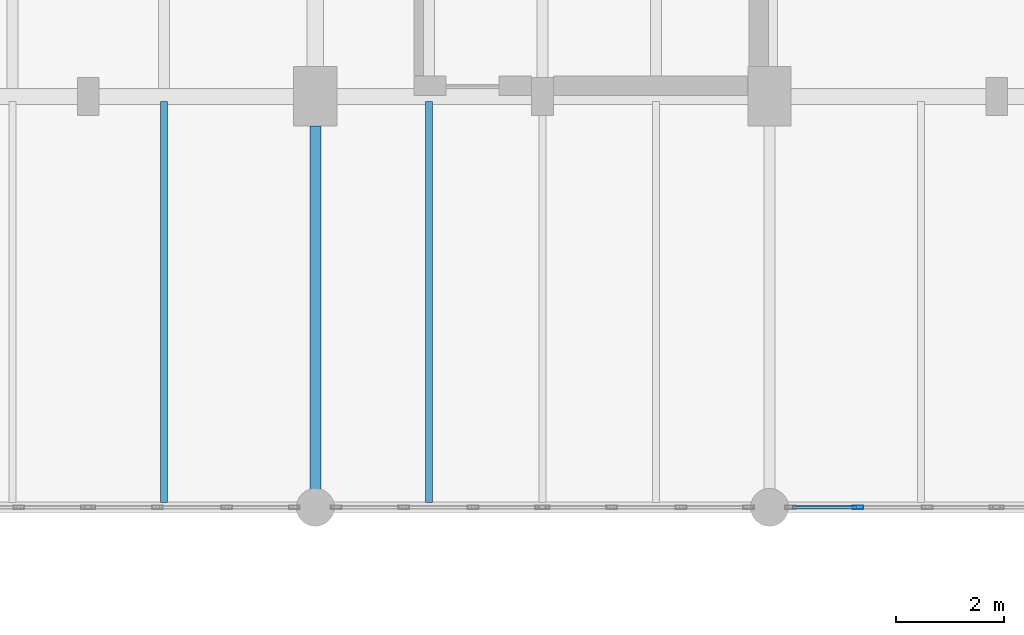
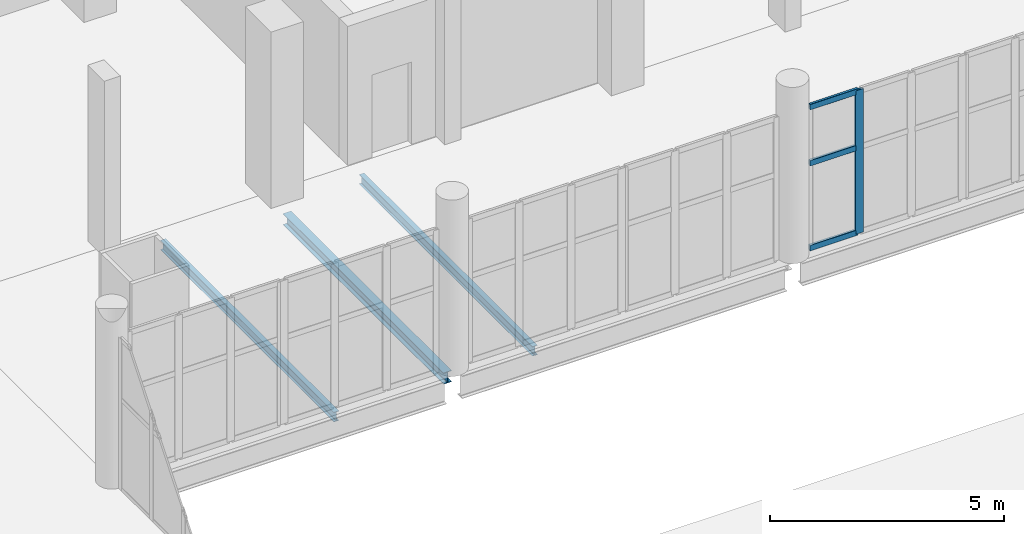
# One storey, part 45 of 136: 4 members, 3 beams, 1 element without a shape of its own.
"""IFC4 building model written with IfcOpenShell, lengths in metres."""

from ifc_helpers import new_model, si_unit, direction, frame, origin, origin_2d, place, context, subcontext, project, spatial, hollow_rectangle, i_section, extrude, material, material_profile, profile_set, type_object, element, aggregate, save


model = new_model("IFC4")

# Units and contexts
model_context = context("Model", 3, precision=1e-05, world=origin(), true_north=direction((0.0, 1.0)))
body_context = subcontext(model_context, "Body", "Model", "MODEL_VIEW")
ifc_project = project(units=[si_unit("LENGTHUNIT", "METRE"), si_unit("AREAUNIT", "SQUARE_METRE"), si_unit("VOLUMEUNIT", "CUBIC_METRE"), si_unit("PLANEANGLEUNIT", "RADIAN"), si_unit("MASSUNIT", "GRAM", prefix="KILO")], contexts=[model_context])

# Site, building, storey
site_placement = place(None, origin())
site = spatial("IfcSite", under=ifc_project, at=site_placement, CompositionType="ELEMENT")
building_placement = place(site_placement, origin())
building = spatial("IfcBuilding", under=site, at=building_placement, Name="Shengluoqiao Park Theatre", CompositionType="ELEMENT")
storey_placement = place(building_placement, frame((0.0, 0.0, 10.0)))
storey = spatial("IfcBuildingStorey", under=building, at=storey_placement, Name="L02", CompositionType="ELEMENT", Elevation=10.0)

# Curtain wall, members
ifc_material_1 = material(Name="Aluminium 6063-T6", Category="aluminium")
curtain_wall_type = type_object("IfcCurtainWallType", Name="ENV-CW-PROM", PredefinedType="NOTDEFINED", material=ifc_material_1)
curtain_wall_placement = place(storey_placement, origin())
curtain_wall = element("IfcCurtainWall", 1, at=curtain_wall_placement, inside=storey, type_object=curtain_wall_type, Name="L02 Curtain Wall CW-L02-0070", PredefinedType="NOTDEFINED")
ifc_material_profile_1 = material_profile(ifc_material_1, hollow_rectangle(XDim=0.06494140625, YDim=0.199951171875, WallThickness=0.0048828125, InnerFilletRadius=0.0048828125, OuterFilletRadius=0.010009765625, at=origin_2d()), Name="ALU MULLION 200x65x5")
ifc_profile_set_1 = profile_set([ifc_material_profile_1], Name="Aluminium 6063-T6")
member_type_1 = type_object("IfcMemberType", Name="ENV-MUL-200", PredefinedType="MULLION", material=ifc_profile_set_1)
member_1_placement = place(storey_placement, frame((62.8359375, 68.39990234375, 0.0), z_axis=(0.0, 0.0, 1.0), x_axis=(0.0, 1.0, 0.0)))
member_1 = element("IfcMember", 2, at=member_1_placement, type_object=member_type_1, Name="CW-04 mullion 2", PredefinedType="MULLION", context=body_context, shape_type="SweptSolid", body=[
    extrude(hollow_rectangle(XDim=0.06494140625, YDim=0.199951171875, WallThickness=0.0048828125, InnerFilletRadius=0.0048828125, OuterFilletRadius=0.010009765625, at=origin_2d()), origin(), (0.0, 0.0, 1.0), 3.741943359375),
])
ifc_material_profile_2 = material_profile(ifc_material_1, hollow_rectangle(XDim=0.06494140625, YDim=0.14990234375, WallThickness=0.00390625, InnerFilletRadius=0.00390625, OuterFilletRadius=0.008056640625, at=origin_2d()), Name="ALU TRANSOM 150x65x4")
ifc_profile_set_2 = profile_set([ifc_material_profile_2], Name="Aluminium 6063-T6")
member_type_2 = type_object("IfcMemberType", Name="ENV-TRN-150", PredefinedType="USERDEFINED", material=ifc_profile_set_2)
member_2_placement = place(storey_placement, frame((61.618896484375, 68.39990234375, 0.032470703125), z_axis=(1.0, 0.0, 0.0), x_axis=(0.0, 1.0, 0.0)))
member_2 = element("IfcMember", 3, at=member_2_placement, type_object=member_type_2, Name="CW-04 transom 1.1", ObjectType="TRANSOM", PredefinedType="USERDEFINED", context=body_context, shape_type="SweptSolid", body=[
    extrude(hollow_rectangle(XDim=0.06494140625, YDim=0.14990234375, WallThickness=0.00390625, InnerFilletRadius=0.00390625, OuterFilletRadius=0.008056640625, at=origin_2d()), origin(), (0.0, 0.0, 1.0), 1.1845703125),
])
member_3_placement = place(storey_placement, frame((61.618896484375, 68.39990234375, 2.2451171875), z_axis=(1.0, 0.0, 0.0), x_axis=(0.0, 1.0, 0.0)))
member_3 = element("IfcMember", 4, at=member_3_placement, type_object=member_type_2, Name="CW-04 transom 1.2", ObjectType="TRANSOM", PredefinedType="USERDEFINED", context=body_context, shape_type="SweptSolid", body=[
    extrude(hollow_rectangle(XDim=0.06494140625, YDim=0.14990234375, WallThickness=0.00390625, InnerFilletRadius=0.00390625, OuterFilletRadius=0.008056640625, at=origin_2d()), origin(), (0.0, 0.0, 1.0), 1.1845703125),
])
member_4_placement = place(storey_placement, frame((61.618896484375, 68.39990234375, 3.70947265625), z_axis=(1.0, 0.0, 0.0), x_axis=(0.0, 1.0, 0.0)))
member_4 = element("IfcMember", 5, at=member_4_placement, type_object=member_type_2, Name="CW-04 transom 1.3", ObjectType="TRANSOM", PredefinedType="USERDEFINED", context=body_context, shape_type="SweptSolid", body=[
    extrude(hollow_rectangle(XDim=0.06494140625, YDim=0.14990234375, WallThickness=0.00390625, InnerFilletRadius=0.00390625, OuterFilletRadius=0.008056640625, at=origin_2d()), origin(), (0.0, 0.0, 1.0), 1.1845703125),
])
aggregate(curtain_wall, [member_1, member_2, member_3, member_4])

# Beams
ifc_material_2 = material(Name="Steel Q355", Category="steel")
ifc_material_profile_3 = material_profile(ifc_material_2, i_section(OverallWidth=0.199951171875, OverallDepth=0.2939453125, WebThickness=0.008056640625, FlangeThickness=0.011962890625, FilletRadius=0.01611328125, at=origin_2d()), Name="HM 294x200x8x12")
ifc_profile_set_3 = profile_set([ifc_material_profile_3], Name="Steel Q355")
beam_type_1 = type_object("IfcBeamType", Name="STR-BM-G-HM294", PredefinedType="BEAM", material=ifc_profile_set_3)
beam_placement = place(storey_placement, frame((52.800048828125, 68.593994140625, -0.386962890625), z_axis=(0.0, 1.0, 0.0), x_axis=(-1.0, 0.0, 0.0)))
element("IfcBeam", 6, at=beam_placement, inside=storey, type_object=beam_type_1, Name="L02 Transverse Girder 00991", PredefinedType="BEAM", context=body_context, shape_type="SweptSolid", body=[
    extrude(i_section(OverallWidth=0.199951171875, OverallDepth=0.2939453125, WebThickness=0.008056640625, FlangeThickness=0.011962890625, FilletRadius=0.01611328125, at=origin_2d()), origin(), (0.0, 0.0, 1.0), 6.862060546875),
])
ifc_material_profile_4 = material_profile(ifc_material_2, i_section(OverallWidth=0.125, OverallDepth=0.25, WebThickness=0.006103515625, FlangeThickness=0.009033203125, FilletRadius=0.010009765625, at=origin_2d()), Name="HN 250x125x6x9")
ifc_profile_set_4 = profile_set([ifc_material_profile_4], Name="Steel Q355")
beam_type_2 = type_object("IfcBeamType", Name="STR-BM-J-HN250", PredefinedType="JOIST", material=ifc_profile_set_4)
for number, where, z_axis, x_axis, name in (
    (7, (50.0, 68.494384765625, -0.364990234375), (0.0, 1.0, 0.0), (-1.0, 0.0, 0.0), "L02 Composite Joist 00996"),
    (8, (54.89990234375, 68.494384765625, -0.364990234375), (0.0, 1.0, 0.0), (-1.0, 0.0, 0.0), "L02 Composite Joist 00997"),
):
    element("IfcBeam", number, at=place(storey_placement, frame(where, z_axis=z_axis, x_axis=x_axis)), inside=storey, type_object=beam_type_2, Name=name, PredefinedType="JOIST", context=body_context, shape_type="SweptSolid", body=[
        extrude(i_section(OverallWidth=0.125, OverallDepth=0.25, WebThickness=0.006103515625, FlangeThickness=0.009033203125, FilletRadius=0.010009765625, at=origin_2d()), origin(), (0.0, 0.0, 1.0), 7.4111328125),
    ])

save(model, "model.ifc")
